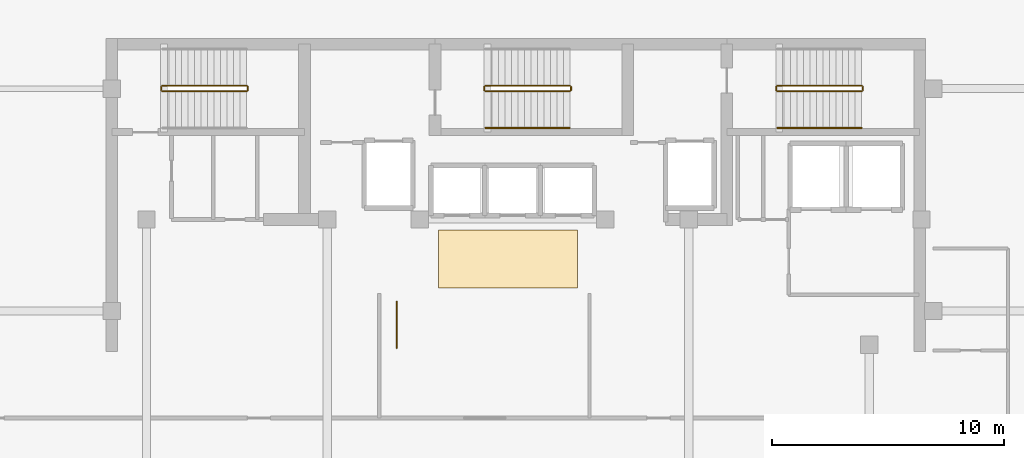
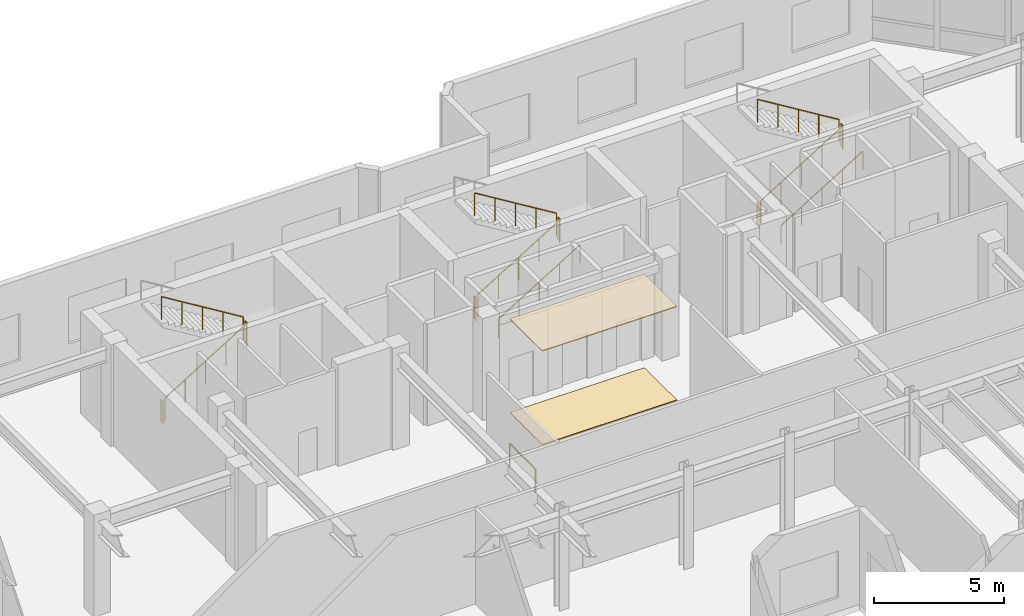
# One storey, part 11 of 12: 15 railings, 2 coverings.
"""IFC4 building model written with IfcOpenShell, lengths in metres."""

import ifcopenshell
import ifcopenshell.guid

model = None  # the IFC model being written
_history = None  # IfcOwnerHistory: only IFC2X3 demands one
_inside = {}  # id of a spatial element -> (the spatial element, [elements in it])
_under = {}  # id of a project, library or spatial element -> (it, [spatial elements below it])
_declared = {}  # id of a project -> (the project, [libraries it declares])
_typed = {}  # id of a type object -> (the type object, [elements of that type])
_made_of = {}  # id of a material, layer set ... -> (it, [elements and type objects made of it])


def new_model(schema):
    """Start an empty IFC model of exactly this schema.

    Asked for "IFC4X3", IfcOpenShell would pick the latest addendum, in which some entities
    have other attributes; the version numbers below select the first issue.
    IFC2X3 requires an IfcOwnerHistory on every rooted entity: one is made here for all.
    """
    global model, _history
    if schema == "IFC4X3":
        model = ifcopenshell.file(schema_version=(4, 3, 0, 0))
    else:
        model = ifcopenshell.file(schema=schema)
    _inside.clear()
    _under.clear()
    _declared.clear()
    _typed.clear()
    _made_of.clear()
    _history = None
    if model.schema == "IFC2X3":
        org = make("IfcOrganization", Name="unknown")
        user = make(
            "IfcPersonAndOrganization",
            ThePerson=make("IfcPerson", FamilyName="unknown"),
            TheOrganization=org,
        )
        app = make(
            "IfcApplication",
            ApplicationDeveloper=org,
            Version="unknown",
            ApplicationFullName="unknown",
            ApplicationIdentifier="unknown",
        )
        _history = make(
            "IfcOwnerHistory",
            OwningUser=user,
            OwningApplication=app,
            ChangeAction="ADDED",
            CreationDate=0,
        )
    return model


def make(cls, **values):
    """One entity of the class cls with the attributes given. An attribute that is None is left unset."""
    return model.create_entity(
        cls, **{name: value for name, value in values.items() if value is not None}
    )


def rooted(cls, **values):
    """An entity with a GlobalId (a new one), such as an element, a storey or a relation."""
    return make(cls, GlobalId=ifcopenshell.guid.new(), OwnerHistory=_history, **values)


def si_unit(unit_type, name, prefix=None):
    """IfcSIUnit, for example si_unit("LENGTHUNIT", "METRE", prefix="MILLI")."""
    return make("IfcSIUnit", UnitType=unit_type, Prefix=prefix, Name=name)


def assignment(units):
    """IfcUnitAssignment: the units of a project."""
    return None if units is None else make("IfcUnitAssignment", Units=units)


def point(xyz):
    """IfcCartesianPoint."""
    return None if xyz is None else make("IfcCartesianPoint", Coordinates=xyz)


def direction(xyz):
    """IfcDirection."""
    return None if xyz is None else make("IfcDirection", DirectionRatios=xyz)


def frame(location, z_axis=None, x_axis=None):
    """IfcAxis2Placement3D, a coordinate frame: its origin and axes. An axis left out is left unset."""
    return make(
        "IfcAxis2Placement3D",
        Location=point(location),
        Axis=direction(z_axis),
        RefDirection=direction(x_axis),
    )


def frame_2d(location, x_axis=None):
    """IfcAxis2Placement2D, a coordinate frame in the plane: its origin and x axis."""
    return make(
        "IfcAxis2Placement2D", Location=point(location), RefDirection=direction(x_axis)
    )


def origin():
    """The frame at (0, 0, 0) with its axes left unset."""
    return frame((0.0, 0.0, 0.0))


def origin_2d():
    """The frame at (0, 0) in the plane with its x axis left unset."""
    return frame_2d((0.0, 0.0))


def place(relative_to, where):
    """IfcLocalPlacement: puts the frame where relative to a parent placement (None: the world)."""
    return make(
        "IfcLocalPlacement", PlacementRelTo=relative_to, RelativePlacement=where
    )


def context(
    kind, dimensions, precision=None, world=None, true_north=None, identifier=None
):
    """IfcGeometricRepresentationContext, for example the 3D "Model" context."""
    return make(
        "IfcGeometricRepresentationContext",
        ContextIdentifier=identifier,
        ContextType=kind,
        CoordinateSpaceDimension=dimensions,
        Precision=precision,
        WorldCoordinateSystem=world,
        TrueNorth=true_north,
    )


def subcontext(parent, identifier, kind, view, scale=None):
    """IfcGeometricRepresentationSubContext, for example "Body" below "Model"."""
    return make(
        "IfcGeometricRepresentationSubContext",
        ContextIdentifier=identifier,
        ContextType=kind,
        ParentContext=parent,
        TargetScale=scale,
        TargetView=view,
    )


def project(units=None, contexts=None):
    """IfcProject with its units and contexts."""
    return rooted(
        "IfcProject",
        Name="project",
        RepresentationContexts=contexts,
        UnitsInContext=assignment(units),
    )


def spatial(cls, under=None, at=None, **own):
    """A site, building, storey or space (cls), placed at a placement, below another one or the project."""
    s = rooted(cls, ObjectPlacement=at, **own)
    if under is not None:
        _under.setdefault(under.id(), (under, []))[1].append(s)
    return s


def polyline(points):
    """IfcPolyline through the points."""
    return make("IfcPolyline", Points=[point(p) for p in points])


def profile(cls, at=None, kind="AREA", **sizes):
    """A parametric profile (cls). Its sizes go by their IFC names, for example OverallWidth=200.0."""
    return make(cls, ProfileType=kind, Position=at, **sizes)


def circle(**sizes):
    """IfcCircleProfileDef."""
    return profile("IfcCircleProfileDef", **sizes)


def outline(outer, holes=None, kind="AREA"):
    """IfcArbitraryClosedProfileDef: a profile drawn as a closed curve; with holes, ...WithVoids."""
    if holes is None:
        return make("IfcArbitraryClosedProfileDef", ProfileType=kind, OuterCurve=outer)
    return make(
        "IfcArbitraryProfileDefWithVoids",
        ProfileType=kind,
        OuterCurve=outer,
        InnerCurves=holes,
    )


def extrude(swept, where, along, depth):
    """IfcExtrudedAreaSolid: the profile swept, set in the frame where, extruded along a direction by depth."""
    return make(
        "IfcExtrudedAreaSolid",
        SweptArea=swept,
        Position=where,
        ExtrudedDirection=direction(along),
        Depth=depth,
    )


def shape(context_of_items, identifier, shape_type, items):
    """IfcShapeRepresentation: the items that make up one representation, for example the "Body"."""
    return make(
        "IfcShapeRepresentation",
        ContextOfItems=context_of_items,
        RepresentationIdentifier=identifier,
        RepresentationType=shape_type,
        Items=items,
    )


def material(Name=None, Category=None):
    """IfcMaterial."""
    return make("IfcMaterial", Name=Name, Category=Category)


def layer(
    of_material, thickness, ventilated=None, Name=None, Category=None, Priority=None
):
    """IfcMaterialLayer: one layer of a wall or slab, of a material (None: an air gap)."""
    return make(
        "IfcMaterialLayer",
        Material=of_material,
        LayerThickness=thickness,
        IsVentilated=ventilated,
        Name=Name,
        Category=Category,
        Priority=Priority,
    )


def layer_set(layers, Name=None):
    """IfcMaterialLayerSet."""
    return make("IfcMaterialLayerSet", MaterialLayers=layers, LayerSetName=Name)


def made_of(thing, what):
    """Note that an element or type object is made of a material, layer set ...; save() writes the relation."""
    if what is not None:
        _made_of.setdefault(what.id(), (what, []))[1].append(thing)
    return thing


def type_object(cls, material=None, **own):
    """A type object (cls), such as IfcWallType, which elements share."""
    return made_of(rooted(cls, **own), material)


def element(
    cls,
    number,
    at=None,
    inside=None,
    cuts=None,
    type_object=None,
    material=None,
    context=None,
    identifier="Body",
    shape_type=None,
    held_by="IfcProductDefinitionShape",
    body=None,
    shapes=None,
    **own,
):
    """One element of the class cls, such as IfcWall. Its Tag is "e" and its number.

    at: its placement. inside: the storey or other place that contains it. cuts: it is an
    opening in that element (IfcRelVoidsElement). A single representation is given by context,
    identifier, shape_type and body (its items); several are given by shapes. held_by: the class
    of the entity that holds the representations. save() writes the other relations.
    """
    e = rooted(cls, Tag="e%d" % number, ObjectPlacement=at, **own)
    if body is not None:
        shapes = [shape(context, identifier, shape_type, body)]
    if shapes is not None:
        e.Representation = make(held_by, Representations=shapes)
    if inside is not None:
        _inside.setdefault(inside.id(), (inside, []))[1].append(e)
    if cuts is not None:
        rooted(
            "IfcRelVoidsElement", RelatingBuildingElement=cuts, RelatedOpeningElement=e
        )
    if type_object is not None:
        _typed.setdefault(type_object.id(), (type_object, []))[1].append(e)
    return made_of(e, material)


def aggregate(whole, parts):
    """IfcRelAggregates: a whole, such as a stair, and the parts it consists of."""
    return rooted("IfcRelAggregates", RelatingObject=whole, RelatedObjects=parts)


def save(model, path):
    """Write the relations noted so far, then the file.

    IfcRelAggregates (storeys below a building ...), IfcRelContainedInSpatialStructure (elements
    in a storey), IfcRelDefinesByType, IfcRelAssociatesMaterial and IfcRelDeclares: one each for
    every whole, place, type object, material and project.
    """
    for whole, parts in _under.values():
        aggregate(whole, parts)
    for where, things in _inside.values():
        rooted(
            "IfcRelContainedInSpatialStructure",
            RelatedElements=things,
            RelatingStructure=where,
        )
    for kind, things in _typed.values():
        rooted("IfcRelDefinesByType", RelatedObjects=things, RelatingType=kind)
    for what, things in _made_of.values():
        rooted("IfcRelAssociatesMaterial", RelatedObjects=things, RelatingMaterial=what)
    for by, libraries in _declared.values():
        rooted("IfcRelDeclares", RelatingContext=by, RelatedDefinitions=libraries)
    model.write(path)


model = new_model("IFC4")

# Units and contexts
model_context = context("Model", 3, precision=1e-05, world=origin(), true_north=direction((0.0, 1.0)))
body_context = subcontext(model_context, "Body", "Model", "MODEL_VIEW")
ifc_project = project(units=[si_unit("LENGTHUNIT", "METRE"), si_unit("AREAUNIT", "SQUARE_METRE"), si_unit("VOLUMEUNIT", "CUBIC_METRE"), si_unit("PLANEANGLEUNIT", "RADIAN"), si_unit("MASSUNIT", "GRAM", prefix="KILO")], contexts=[model_context])

# Site, building, storey
site_placement = place(None, origin())
site = spatial("IfcSite", under=ifc_project, at=site_placement, CompositionType="ELEMENT")
building_placement = place(site_placement, origin())
building = spatial("IfcBuilding", under=site, at=building_placement, Name="Kestravale Grand Hotel", CompositionType="ELEMENT")
storey_placement = place(building_placement, frame((0.0, 0.0, 306.60009765625)))
storey = spatial("IfcBuildingStorey", under=building, at=storey_placement, Name="L76", CompositionType="ELEMENT", Elevation=306.60009765625)

# Coverings
ifc_material_1 = material(Name="Perforated gypsum and mineral-fibre acoustic ceiling", Category="other")
ifc_layer_1 = layer(ifc_material_1, 0.044921875)
ifc_layer_set_1 = layer_set([ifc_layer_1], Name="COV-INT-CEIL")
covering_type_1 = type_object("IfcCoveringType", Name="COV-INT-CEIL", PredefinedType="CEILING", material=ifc_layer_set_1)
covering_1_placement = place(storey_placement, frame((0.0, 0.0, 4.40478515625)))
element("IfcCovering", 1, at=covering_1_placement, inside=storey, type_object=covering_type_1, Name="L76 elevator lobby acoustic coffered ceiling", PredefinedType="CEILING", context=body_context, shape_type="SweptSolid", body=[
    extrude(outline(polyline([(36.0, 29.800048828125), (42.0, 29.800048828125), (42.0, 32.300048828125), (36.0, 32.300048828125), (36.0, 29.800048828125)])), origin(), (0.0, 0.0, 1.0), 0.045166015625),
])
ifc_material_2 = material(Name="Polished Art Deco brass-inlaid terrazzo flooring", Category="masonry")
ifc_layer_2 = layer(ifc_material_2, 0.034912109375)
ifc_layer_set_2 = layer_set([ifc_layer_2], Name="COV-INT-TERZ")
covering_type_2 = type_object("IfcCoveringType", Name="COV-INT-TERZ", PredefinedType="FLOORING", material=ifc_layer_set_2)
covering_2_placement = place(storey_placement, origin())
element("IfcCovering", 2, at=covering_2_placement, inside=storey, type_object=covering_type_2, Name="L76 elevator lobby brass-inlaid terrazzo floor", PredefinedType="FLOORING", context=body_context, shape_type="SweptSolid", body=[
    extrude(outline(polyline([(36.0, 29.800048828125), (42.0, 29.800048828125), (42.0, 32.300048828125), (36.0, 32.300048828125), (36.0, 29.800048828125)])), origin(), (0.0, 0.0, 1.0), 0.034912109375),
])

# Railings
ifc_material_3 = material(Name="Art Deco fluted bronze interior gallery balustrade", Category="steel")
railing_type_1 = type_object("IfcRailingType", Name="RL-INT-BAL1100", PredefinedType="BALUSTRADE", material=ifc_material_3)
railing_1_placement = place(storey_placement, frame((34.199951171875, 27.199951171875, 0.0)))
element("IfcRailing", 3, at=railing_1_placement, inside=storey, type_object=railing_type_1, Name="L76 Art Deco bronze concourse balustrade", PredefinedType="BALUSTRADE", context=body_context, shape_type="SweptSolid", body=[
    extrude(circle(Radius=0.02392578125, at=origin_2d()), frame((0.0, 0.0, 1.076171875), z_axis=(0.0, 1.0, 0.0), x_axis=(-1.0, 0.0, 0.0)), (0.0, 0.0, 1.0), 2.0),
    extrude(circle(Radius=0.02099609375, at=origin_2d()), origin(), (0.0, 0.0, 1.0), 1.052001953125),
    extrude(circle(Radius=0.02099609375, at=origin_2d()), frame((0.0, 2.0, 0.0)), (0.0, 0.0, 1.0), 1.052001953125),
])
ifc_material_4 = material(Name="Painted tubular steel stair well guard", Category="steel")
railing_type_2 = type_object("IfcRailingType", Name="RL-ST-GRD1100", PredefinedType="GUARDRAIL", material=ifc_material_4)
railing_2_placement = place(storey_placement, frame((24.080078125, 38.280029296875, 0.17138671875)))
element("IfcRailing", 4, at=railing_2_placement, inside=storey, type_object=railing_type_2, Name="L76 ST-1 stair guard 1", PredefinedType="GUARDRAIL", context=body_context, shape_type="SweptSolid", body=[
    extrude(circle(Radius=0.02392578125, at=origin_2d()), frame((0.0, 0.0, 1.076171875), z_axis=(0.852850264322, 0.0, 0.5221555579), x_axis=(0.0, 1.0, 0.0)), (0.0, 0.0, 1.0), 4.267822265625),
    extrude(circle(Radius=0.02099609375, at=origin_2d()), origin(), (0.0, 0.0, 1.0), 1.052001953125),
    extrude(circle(Radius=0.02099609375, at=origin_2d()), frame((0.909912109375, 0.0, 0.55712890625)), (0.0, 0.0, 1.0), 1.052001953125),
    extrude(circle(Radius=0.02099609375, at=origin_2d()), frame((1.81982421875, 0.0, 1.1142578125)), (0.0, 0.0, 1.0), 1.052001953125),
    extrude(circle(Radius=0.02099609375, at=origin_2d()), frame((2.72998046875, 0.0, 1.67138671875)), (0.0, 0.0, 1.0), 1.052001953125),
    extrude(circle(Radius=0.02099609375, at=origin_2d()), frame((3.639892578125, 0.0, 2.228515625)), (0.0, 0.0, 1.0), 1.052001953125),
])
railing_3_placement = place(storey_placement, frame((27.77001953125, 38.330078125, 2.39990234375)))
element("IfcRailing", 5, at=railing_3_placement, inside=storey, type_object=railing_type_2, Name="L76 ST-1 stair guard 2", PredefinedType="GUARDRAIL", context=body_context, shape_type="SweptSolid", body=[
    extrude(circle(Radius=0.02392578125, at=origin_2d()), frame((0.0, 0.0, 1.076171875), z_axis=(0.0, 1.0, 0.0), x_axis=(-1.0, 0.0, 0.0)), (0.0, 0.0, 1.0), 0.14990234375),
    extrude(circle(Radius=0.02099609375, at=origin_2d()), origin(), (0.0, 0.0, 1.0), 1.052001953125),
    extrude(circle(Radius=0.02099609375, at=origin_2d()), frame((0.0, 0.14990234375, 0.0)), (0.0, 0.0, 1.0), 1.052001953125),
])
railing_4_placement = place(storey_placement, frame((27.719970703125, 38.530029296875, 2.5712890625)))
element("IfcRailing", 6, at=railing_4_placement, inside=storey, type_object=railing_type_2, Name="L76 ST-1 stair guard 3", PredefinedType="GUARDRAIL", context=body_context, shape_type="SweptSolid", body=[
    extrude(circle(Radius=0.02392578125, at=origin_2d()), frame((0.0, 0.0, 1.076171875), z_axis=(-0.852850264322, 0.0, 0.5221555579), x_axis=(0.0, -1.0, 0.0)), (0.0, 0.0, 1.0), 4.267822265625),
    extrude(circle(Radius=0.02099609375, at=origin_2d()), origin(), (0.0, 0.0, 1.0), 1.052001953125),
    extrude(circle(Radius=0.02099609375, at=origin_2d()), frame((-0.909912109375, 0.0, 0.55712890625)), (0.0, 0.0, 1.0), 1.052001953125),
    extrude(circle(Radius=0.02099609375, at=origin_2d()), frame((-1.81982421875, 0.0, 1.1142578125)), (0.0, 0.0, 1.0), 1.052001953125),
    extrude(circle(Radius=0.02099609375, at=origin_2d()), frame((-2.72998046875, 0.0, 1.67138671875)), (0.0, 0.0, 1.0), 1.052001953125),
    extrude(circle(Radius=0.02099609375, at=origin_2d()), frame((-3.639892578125, 0.0, 2.228515625)), (0.0, 0.0, 1.0), 1.052001953125),
])
railing_5_placement = place(storey_placement, frame((24.030029296875, 38.330078125, 0.0)))
element("IfcRailing", 7, at=railing_5_placement, inside=storey, type_object=railing_type_2, Name="L76 ST-1 stair guard 4", PredefinedType="GUARDRAIL", context=body_context, shape_type="SweptSolid", body=[
    extrude(circle(Radius=0.02392578125, at=origin_2d()), frame((0.0, 0.0, 1.076171875), z_axis=(0.0, 1.0, 0.0), x_axis=(-1.0, 0.0, 0.0)), (0.0, 0.0, 1.0), 0.14990234375),
    extrude(circle(Radius=0.02099609375, at=origin_2d()), origin(), (0.0, 0.0, 1.0), 1.052001953125),
    extrude(circle(Radius=0.02099609375, at=origin_2d()), frame((0.0, 0.14990234375, 0.0)), (0.0, 0.0, 1.0), 1.052001953125),
])
railing_6_placement = place(storey_placement, frame((38.030029296875, 38.280029296875, 0.17138671875)))
element("IfcRailing", 8, at=railing_6_placement, inside=storey, type_object=railing_type_2, Name="L76 ST-2 stair guard 1", PredefinedType="GUARDRAIL", context=body_context, shape_type="SweptSolid", body=[
    extrude(circle(Radius=0.02392578125, at=origin_2d()), frame((0.0, 0.0, 1.076171875), z_axis=(0.852850264322, 0.0, 0.5221555579), x_axis=(0.0, 1.0, 0.0)), (0.0, 0.0, 1.0), 4.267822265625),
    extrude(circle(Radius=0.02099609375, at=origin_2d()), origin(), (0.0, 0.0, 1.0), 1.052001953125),
    extrude(circle(Radius=0.02099609375, at=origin_2d()), frame((0.909912109375, 0.0, 0.55712890625)), (0.0, 0.0, 1.0), 1.052001953125),
    extrude(circle(Radius=0.02099609375, at=origin_2d()), frame((1.81982421875, 0.0, 1.1142578125)), (0.0, 0.0, 1.0), 1.052001953125),
    extrude(circle(Radius=0.02099609375, at=origin_2d()), frame((2.72998046875, 0.0, 1.67138671875)), (0.0, 0.0, 1.0), 1.052001953125),
    extrude(circle(Radius=0.02099609375, at=origin_2d()), frame((3.639892578125, 0.0, 2.228515625)), (0.0, 0.0, 1.0), 1.052001953125),
])
railing_7_placement = place(storey_placement, frame((41.719970703125, 38.330078125, 2.39990234375)))
element("IfcRailing", 9, at=railing_7_placement, inside=storey, type_object=railing_type_2, Name="L76 ST-2 stair guard 2", PredefinedType="GUARDRAIL", context=body_context, shape_type="SweptSolid", body=[
    extrude(circle(Radius=0.02392578125, at=origin_2d()), frame((0.0, 0.0, 1.076171875), z_axis=(0.0, 1.0, 0.0), x_axis=(-1.0, 0.0, 0.0)), (0.0, 0.0, 1.0), 0.14990234375),
    extrude(circle(Radius=0.02099609375, at=origin_2d()), origin(), (0.0, 0.0, 1.0), 1.052001953125),
    extrude(circle(Radius=0.02099609375, at=origin_2d()), frame((0.0, 0.14990234375, 0.0)), (0.0, 0.0, 1.0), 1.052001953125),
])
railing_8_placement = place(storey_placement, frame((41.669921875, 38.530029296875, 2.5712890625)))
element("IfcRailing", 10, at=railing_8_placement, inside=storey, type_object=railing_type_2, Name="L76 ST-2 stair guard 3", PredefinedType="GUARDRAIL", context=body_context, shape_type="SweptSolid", body=[
    extrude(circle(Radius=0.02392578125, at=origin_2d()), frame((0.0, 0.0, 1.076171875), z_axis=(-0.852850264322, 0.0, 0.5221555579), x_axis=(0.0, -1.0, 0.0)), (0.0, 0.0, 1.0), 4.267822265625),
    extrude(circle(Radius=0.02099609375, at=origin_2d()), origin(), (0.0, 0.0, 1.0), 1.052001953125),
    extrude(circle(Radius=0.02099609375, at=origin_2d()), frame((-0.909912109375, 0.0, 0.55712890625)), (0.0, 0.0, 1.0), 1.052001953125),
    extrude(circle(Radius=0.02099609375, at=origin_2d()), frame((-1.81982421875, 0.0, 1.1142578125)), (0.0, 0.0, 1.0), 1.052001953125),
    extrude(circle(Radius=0.02099609375, at=origin_2d()), frame((-2.72998046875, 0.0, 1.67138671875)), (0.0, 0.0, 1.0), 1.052001953125),
    extrude(circle(Radius=0.02099609375, at=origin_2d()), frame((-3.639892578125, 0.0, 2.228515625)), (0.0, 0.0, 1.0), 1.052001953125),
])
railing_9_placement = place(storey_placement, frame((37.97998046875, 38.330078125, 0.0)))
element("IfcRailing", 11, at=railing_9_placement, inside=storey, type_object=railing_type_2, Name="L76 ST-2 stair guard 4", PredefinedType="GUARDRAIL", context=body_context, shape_type="SweptSolid", body=[
    extrude(circle(Radius=0.02392578125, at=origin_2d()), frame((0.0, 0.0, 1.076171875), z_axis=(0.0, 1.0, 0.0), x_axis=(-1.0, 0.0, 0.0)), (0.0, 0.0, 1.0), 0.14990234375),
    extrude(circle(Radius=0.02099609375, at=origin_2d()), origin(), (0.0, 0.0, 1.0), 1.052001953125),
    extrude(circle(Radius=0.02099609375, at=origin_2d()), frame((0.0, 0.14990234375, 0.0)), (0.0, 0.0, 1.0), 1.052001953125),
])
railing_10_placement = place(storey_placement, frame((50.6298828125, 38.280029296875, 0.17138671875)))
element("IfcRailing", 12, at=railing_10_placement, inside=storey, type_object=railing_type_2, Name="L76 ST-3 stair guard 1", PredefinedType="GUARDRAIL", context=body_context, shape_type="SweptSolid", body=[
    extrude(circle(Radius=0.02392578125, at=origin_2d()), frame((0.0, 0.0, 1.076171875), z_axis=(0.852865859571, 0.0, 0.52213008492), x_axis=(0.0, 1.0, 0.0)), (0.0, 0.0, 1.0), 4.26806640625),
    extrude(circle(Radius=0.02099609375, at=origin_2d()), origin(), (0.0, 0.0, 1.0), 1.052001953125),
    extrude(circle(Radius=0.02099609375, at=origin_2d()), frame((0.91015625, 0.0, 0.55712890625)), (0.0, 0.0, 1.0), 1.052001953125),
    extrude(circle(Radius=0.02099609375, at=origin_2d()), frame((1.820068359375, 0.0, 1.1142578125)), (0.0, 0.0, 1.0), 1.052001953125),
    extrude(circle(Radius=0.02099609375, at=origin_2d()), frame((2.72998046875, 0.0, 1.67138671875)), (0.0, 0.0, 1.0), 1.052001953125),
    extrude(circle(Radius=0.02099609375, at=origin_2d()), frame((3.64013671875, 0.0, 2.228515625)), (0.0, 0.0, 1.0), 1.052001953125),
])
railing_11_placement = place(storey_placement, frame((54.320068359375, 38.330078125, 2.39990234375)))
element("IfcRailing", 13, at=railing_11_placement, inside=storey, type_object=railing_type_2, Name="L76 ST-3 stair guard 2", PredefinedType="GUARDRAIL", context=body_context, shape_type="SweptSolid", body=[
    extrude(circle(Radius=0.02392578125, at=origin_2d()), frame((0.0, 0.0, 1.076171875), z_axis=(0.0, 1.0, 0.0), x_axis=(-1.0, 0.0, 0.0)), (0.0, 0.0, 1.0), 0.14990234375),
    extrude(circle(Radius=0.02099609375, at=origin_2d()), origin(), (0.0, 0.0, 1.0), 1.052001953125),
    extrude(circle(Radius=0.02099609375, at=origin_2d()), frame((0.0, 0.14990234375, 0.0)), (0.0, 0.0, 1.0), 1.052001953125),
])
railing_12_placement = place(storey_placement, frame((54.27001953125, 38.530029296875, 2.5712890625)))
element("IfcRailing", 14, at=railing_12_placement, inside=storey, type_object=railing_type_2, Name="L76 ST-3 stair guard 3", PredefinedType="GUARDRAIL", context=body_context, shape_type="SweptSolid", body=[
    extrude(circle(Radius=0.02392578125, at=origin_2d()), frame((0.0, 0.0, 1.076171875), z_axis=(-0.852865859571, 0.0, 0.52213008492), x_axis=(0.0, -1.0, 0.0)), (0.0, 0.0, 1.0), 4.26806640625),
    extrude(circle(Radius=0.02099609375, at=origin_2d()), origin(), (0.0, 0.0, 1.0), 1.052001953125),
    extrude(circle(Radius=0.02099609375, at=origin_2d()), frame((-0.91015625, 0.0, 0.55712890625)), (0.0, 0.0, 1.0), 1.052001953125),
    extrude(circle(Radius=0.02099609375, at=origin_2d()), frame((-1.820068359375, 0.0, 1.1142578125)), (0.0, 0.0, 1.0), 1.052001953125),
    extrude(circle(Radius=0.02099609375, at=origin_2d()), frame((-2.72998046875, 0.0, 1.67138671875)), (0.0, 0.0, 1.0), 1.052001953125),
    extrude(circle(Radius=0.02099609375, at=origin_2d()), frame((-3.64013671875, 0.0, 2.228515625)), (0.0, 0.0, 1.0), 1.052001953125),
])
railing_13_placement = place(storey_placement, frame((50.580078125, 38.330078125, 0.0)))
element("IfcRailing", 15, at=railing_13_placement, inside=storey, type_object=railing_type_2, Name="L76 ST-3 stair guard 4", PredefinedType="GUARDRAIL", context=body_context, shape_type="SweptSolid", body=[
    extrude(circle(Radius=0.02392578125, at=origin_2d()), frame((0.0, 0.0, 1.076171875), z_axis=(0.0, 1.0, 0.0), x_axis=(-1.0, 0.0, 0.0)), (0.0, 0.0, 1.0), 0.14990234375),
    extrude(circle(Radius=0.02099609375, at=origin_2d()), origin(), (0.0, 0.0, 1.0), 1.052001953125),
    extrude(circle(Radius=0.02099609375, at=origin_2d()), frame((0.0, 0.14990234375, 0.0)), (0.0, 0.0, 1.0), 1.052001953125),
])
ifc_material_5 = material(Name="Brushed stainless steel wall handrail", Category="steel")
railing_type_3 = type_object("IfcRailingType", Name="RL-ST-HND900", PredefinedType="HANDRAIL", material=ifc_material_5)
railing_14_placement = place(storey_placement, frame((38.030029296875, 36.699951171875, 0.17138671875)))
element("IfcRailing", 16, at=railing_14_placement, inside=storey, type_object=railing_type_3, Name="L76 ST-2 stair handrail 1", PredefinedType="HANDRAIL", context=body_context, shape_type="SweptSolid", body=[
    extrude(circle(Radius=0.02392578125, at=origin_2d()), frame((0.0, 0.0, 0.8759765625), z_axis=(0.852850264322, 0.0, 0.5221555579), x_axis=(0.0, 1.0, 0.0)), (0.0, 0.0, 1.0), 4.267822265625),
    extrude(circle(Radius=0.02099609375, at=origin_2d()), origin(), (0.0, 0.0, 1.0), 0.851806640625),
    extrude(circle(Radius=0.02099609375, at=origin_2d()), frame((0.909912109375, 0.0, 0.55712890625)), (0.0, 0.0, 1.0), 0.851806640625),
    extrude(circle(Radius=0.02099609375, at=origin_2d()), frame((1.81982421875, 0.0, 1.1142578125)), (0.0, 0.0, 1.0), 0.851806640625),
    extrude(circle(Radius=0.02099609375, at=origin_2d()), frame((2.72998046875, 0.0, 1.67138671875)), (0.0, 0.0, 1.0), 0.851806640625),
    extrude(circle(Radius=0.02099609375, at=origin_2d()), frame((3.639892578125, 0.0, 2.228515625)), (0.0, 0.0, 1.0), 0.851806640625),
])
railing_15_placement = place(storey_placement, frame((50.6298828125, 36.699951171875, 0.17138671875)))
element("IfcRailing", 17, at=railing_15_placement, inside=storey, type_object=railing_type_3, Name="L76 ST-3 stair handrail 1", PredefinedType="HANDRAIL", context=body_context, shape_type="SweptSolid", body=[
    extrude(circle(Radius=0.02392578125, at=origin_2d()), frame((0.0, 0.0, 0.8759765625), z_axis=(0.852865859571, 0.0, 0.52213008492), x_axis=(0.0, 1.0, 0.0)), (0.0, 0.0, 1.0), 4.26806640625),
    extrude(circle(Radius=0.02099609375, at=origin_2d()), origin(), (0.0, 0.0, 1.0), 0.851806640625),
    extrude(circle(Radius=0.02099609375, at=origin_2d()), frame((0.91015625, 0.0, 0.55712890625)), (0.0, 0.0, 1.0), 0.851806640625),
    extrude(circle(Radius=0.02099609375, at=origin_2d()), frame((1.820068359375, 0.0, 1.1142578125)), (0.0, 0.0, 1.0), 0.851806640625),
    extrude(circle(Radius=0.02099609375, at=origin_2d()), frame((2.72998046875, 0.0, 1.67138671875)), (0.0, 0.0, 1.0), 0.851806640625),
    extrude(circle(Radius=0.02099609375, at=origin_2d()), frame((3.64013671875, 0.0, 2.228515625)), (0.0, 0.0, 1.0), 0.851806640625),
])

save(model, "model.ifc")
